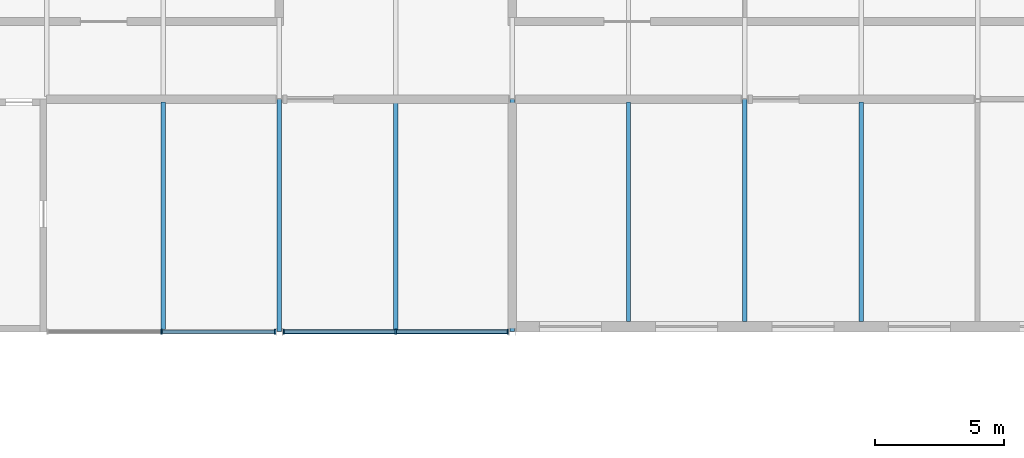
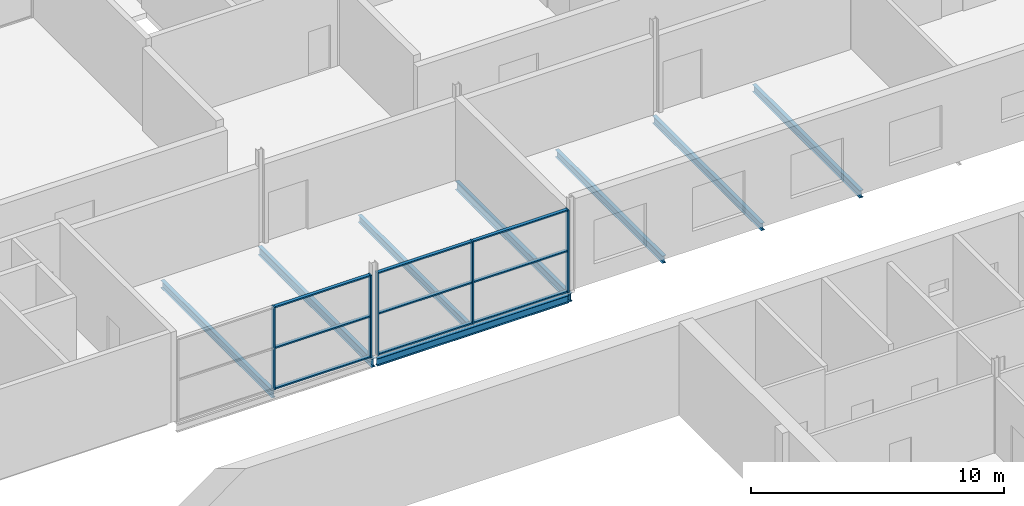
# One storey, part 85 of 138: 14 members, 8 beams, 2 elements without a shape of their own.
"""IFC4 building model written with IfcOpenShell, lengths in metres."""

from ifc_helpers import new_model, si_unit, direction, frame, origin, origin_2d, place, context, subcontext, project, spatial, rectangle, i_section, extrude, material, layer, layer_set, material_profile, profile_set, type_object, element, aggregate, save


model = new_model("IFC4")

# Units and contexts
model_context = context("Model", 3, precision=1e-05, world=origin(), true_north=direction((0.0, 1.0)))
body_context = subcontext(model_context, "Body", "Model", "MODEL_VIEW")
ifc_project = project(units=[si_unit("LENGTHUNIT", "METRE"), si_unit("AREAUNIT", "SQUARE_METRE"), si_unit("VOLUMEUNIT", "CUBIC_METRE"), si_unit("PLANEANGLEUNIT", "RADIAN"), si_unit("MASSUNIT", "GRAM", prefix="KILO")], contexts=[model_context])

# Site, building, storey
site_placement = place(None, origin())
site = spatial("IfcSite", under=ifc_project, at=site_placement, CompositionType="ELEMENT")
building_placement = place(site_placement, origin())
building = spatial("IfcBuilding", under=site, at=building_placement, Name="Corbel Yard City Hall", CompositionType="ELEMENT")
storey_placement = place(building_placement, frame((0.0, 0.0, 10.5)))
storey = spatial("IfcBuildingStorey", under=building, at=storey_placement, Name="L02", CompositionType="ELEMENT", Elevation=10.5)

# Beams
ifc_material_1 = material(Name="Steel Grade 300 (300 MPa yield)", Category="steel")
ifc_material_profile_1 = material_profile(ifc_material_1, i_section(OverallWidth=0.1708984375, OverallDepth=0.35205078125, WebThickness=0.0068359375, FlangeThickness=0.009765625, at=origin_2d()), Name="360UB44.7")
ifc_profile_set_1 = profile_set([ifc_material_profile_1], Name="Steel Grade 300 (300 MPa yield)")
beam_type_1 = type_object("IfcBeamType", Name="Beam 360UB44.7", PredefinedType="BEAM", material=ifc_profile_set_1)
beam_1_placement = place(storey_placement, frame((153.0, 90.39990234375, -0.325927734375), z_axis=(0.0, 1.0, 0.0), x_axis=(-1.0, 0.0, 0.0)))
element("IfcBeam", 1, at=beam_1_placement, inside=storey, type_object=beam_type_1, Name="Beam 360UB44.7 SB13 L02floor", PredefinedType="BEAM", context=body_context, shape_type="SweptSolid", body=[
    extrude(i_section(OverallWidth=0.1708984375, OverallDepth=0.35205078125, WebThickness=0.0068359375, FlangeThickness=0.009765625, at=origin_2d()), origin(), (0.0, 0.0, 1.0), 8.59423828125),
])
ifc_material_profile_2 = material_profile(ifc_material_1, i_section(OverallWidth=0.177978515625, OverallDepth=0.403076171875, WebThickness=0.007568359375, FlangeThickness=0.010986328125, at=origin_2d()), Name="410UB53.7")
ifc_profile_set_2 = profile_set([ifc_material_profile_2], Name="Steel Grade 300 (300 MPa yield)")
beam_type_2 = type_object("IfcBeamType", Name="Beam 410UB53.7", PredefinedType="BEAM", material=ifc_profile_set_2)
for number, where, z_axis, x_axis, name in (
    (2, (135.0, 90.00537109375, -0.3515625), (0.0, 1.0, 0.0), (-1.0, 0.0, 0.0), "Beam 410UB53.7 SB6 L02floor"),
    (3, (144.0, 90.00537109375, -0.3515625), (0.0, 1.0, 0.0), (-1.0, 0.0, 0.0), "Beam 410UB53.7 SB6 L02floor"),
):
    element("IfcBeam", number, at=place(storey_placement, frame(where, z_axis=z_axis, x_axis=x_axis)), inside=storey, type_object=beam_type_2, Name=name, PredefinedType="BEAM", context=body_context, shape_type="SweptSolid", body=[
        extrude(i_section(OverallWidth=0.177978515625, OverallDepth=0.403076171875, WebThickness=0.007568359375, FlangeThickness=0.010986328125, at=origin_2d()), origin(), (0.0, 0.0, 1.0), 8.98876953125),
    ])
ifc_material_profile_3 = material_profile(ifc_material_1, i_section(OverallWidth=0.172119140625, OverallDepth=0.35888671875, WebThickness=0.008056640625, FlangeThickness=0.012939453125, at=origin_2d()), Name="360UB56.7")
ifc_profile_set_3 = profile_set([ifc_material_profile_3], Name="Steel Grade 300 (300 MPa yield)")
beam_type_3 = type_object("IfcBeamType", Name="Edge beam 360UB56.7", PredefinedType="BEAM", material=ifc_profile_set_3)
beam_2_placement = place(storey_placement, frame((135.1298828125, 90.0, -0.32958984375), z_axis=(1.0, 0.0, 0.0), x_axis=(0.0, 1.0, 0.0)))
element("IfcBeam", 4, at=beam_2_placement, inside=storey, type_object=beam_type_3, Name="Edge beam 360UB56.7 EB4 L02floor", PredefinedType="BEAM", context=body_context, shape_type="SweptSolid", body=[
    extrude(i_section(OverallWidth=0.172119140625, OverallDepth=0.35888671875, WebThickness=0.008056640625, FlangeThickness=0.012939453125, at=origin_2d()), origin(), (0.0, 0.0, 1.0), 8.740234375),
])

# Curtain wall, members
ifc_material_2 = material(Name="Aluminium extrusion", Category="aluminium")
ifc_layer = layer(ifc_material_2, 0.199951171875)
ifc_layer_set = layer_set([ifc_layer], Name="Aluminium extrusion")
curtain_wall_type = type_object("IfcCurtainWallType", Name="CW1", PredefinedType="USERDEFINED", material=ifc_layer_set)
curtain_wall_1_placement = place(storey_placement, origin())
curtain_wall_1 = element("IfcCurtainWall", 5, at=curtain_wall_1_placement, inside=storey, type_object=curtain_wall_type, Name="Curtain wall CW1 L02", ObjectType="CURTAIN WALL", PredefinedType="USERDEFINED")
ifc_material_profile_4 = material_profile(ifc_material_2, rectangle(XDim=0.199951171875, YDim=0.06494140625, at=origin_2d()), Name="200x65")
ifc_profile_set_4 = profile_set([ifc_material_profile_4], Name="Aluminium extrusion")
member_type_1 = type_object("IfcMemberType", Name="ML1", PredefinedType="MULLION", material=ifc_profile_set_4)
member_1_placement = place(storey_placement, frame((130.4365234375, 90.0, 0.0), z_axis=(0.0, 0.0, 1.0), x_axis=(0.0, 1.0, 0.0)))
member_1 = element("IfcMember", 6, at=member_1_placement, type_object=member_type_1, Name="CW1 mullion 2", PredefinedType="MULLION", context=body_context, shape_type="SweptSolid", body=[
    extrude(rectangle(XDim=0.199951171875, YDim=0.06494140625, at=origin_2d()), origin(), (0.0, 0.0, 1.0), 3.990966796875),
])
member_2_placement = place(storey_placement, frame((134.840576171875, 90.0, 0.0), z_axis=(0.0, 0.0, 1.0), x_axis=(0.0, 1.0, 0.0)))
member_2 = element("IfcMember", 7, at=member_2_placement, type_object=member_type_1, Name="CW1 mullion 3", PredefinedType="MULLION", context=body_context, shape_type="SweptSolid", body=[
    extrude(rectangle(XDim=0.199951171875, YDim=0.06494140625, at=origin_2d()), origin(), (0.0, 0.0, 1.0), 3.990966796875),
])

curtain_wall_2_placement = place(storey_placement, origin())
curtain_wall_2 = element("IfcCurtainWall", 8, at=curtain_wall_2_placement, inside=storey, type_object=curtain_wall_type, Name="Curtain wall CW1 L02", ObjectType="CURTAIN WALL", PredefinedType="USERDEFINED")
member_3_placement = place(storey_placement, frame((135.159423828125, 90.0, 0.0), z_axis=(0.0, 0.0, 1.0), x_axis=(0.0, 1.0, 0.0)))
member_3 = element("IfcMember", 9, at=member_3_placement, type_object=member_type_1, Name="CW1 mullion 1", PredefinedType="MULLION", context=body_context, shape_type="SweptSolid", body=[
    extrude(rectangle(XDim=0.199951171875, YDim=0.06494140625, at=origin_2d()), origin(), (0.0, 0.0, 1.0), 3.990966796875),
])
member_4_placement = place(storey_placement, frame((139.5, 90.0, 0.0), z_axis=(0.0, 0.0, 1.0), x_axis=(0.0, 1.0, 0.0)))
member_4 = element("IfcMember", 10, at=member_4_placement, type_object=member_type_1, Name="CW1 mullion 2", PredefinedType="MULLION", context=body_context, shape_type="SweptSolid", body=[
    extrude(rectangle(XDim=0.199951171875, YDim=0.06494140625, at=origin_2d()), origin(), (0.0, 0.0, 1.0), 3.990966796875),
])
member_5_placement = place(storey_placement, frame((143.840576171875, 90.0, 0.0), z_axis=(0.0, 0.0, 1.0), x_axis=(0.0, 1.0, 0.0)))
member_5 = element("IfcMember", 11, at=member_5_placement, type_object=member_type_1, Name="CW1 mullion 3", PredefinedType="MULLION", context=body_context, shape_type="SweptSolid", body=[
    extrude(rectangle(XDim=0.199951171875, YDim=0.06494140625, at=origin_2d()), origin(), (0.0, 0.0, 1.0), 3.990966796875),
])

# Beams
ifc_material_profile_5 = material_profile(ifc_material_1, i_section(OverallWidth=0.1708984375, OverallDepth=0.35205078125, WebThickness=0.0068359375, FlangeThickness=0.009765625, at=origin_2d()), Name="360UB44.7")
ifc_profile_set_5 = profile_set([ifc_material_profile_5], Name="Steel Grade 300 (300 MPa yield)")
beam_type_4 = type_object("IfcBeamType", Name="Secondary beam 360UB44.7", PredefinedType="JOIST", material=ifc_profile_set_5)
for number, where, z_axis, x_axis, name in (
    (12, (148.5, 90.39990234375, -0.325927734375), (0.0, 1.0, 0.0), (-1.0, 0.0, 0.0), "Secondary beam 360UB44.7 SB11 L02floor"),
    (13, (157.5, 90.39990234375, -0.325927734375), (0.0, 1.0, 0.0), (-1.0, 0.0, 0.0), "Secondary beam 360UB44.7 SB11 L02floor"),
):
    element("IfcBeam", number, at=place(storey_placement, frame(where, z_axis=z_axis, x_axis=x_axis)), inside=storey, type_object=beam_type_4, Name=name, PredefinedType="JOIST", context=body_context, shape_type="SweptSolid", body=[
        extrude(i_section(OverallWidth=0.1708984375, OverallDepth=0.35205078125, WebThickness=0.0068359375, FlangeThickness=0.009765625, at=origin_2d()), origin(), (0.0, 0.0, 1.0), 8.49560546875),
    ])
ifc_material_profile_6 = material_profile(ifc_material_1, i_section(OverallWidth=0.1708984375, OverallDepth=0.35595703125, WebThickness=0.00732421875, FlangeThickness=0.011474609375, at=origin_2d()), Name="360UB50.7")
ifc_profile_set_6 = profile_set([ifc_material_profile_6], Name="Steel Grade 300 (300 MPa yield)")
beam_type_5 = type_object("IfcBeamType", Name="Secondary beam 360UB50.7", PredefinedType="JOIST", material=ifc_profile_set_6)
for number, where, z_axis, x_axis, name in (
    (14, (130.5, 90.0859375, -0.327880859375), (0.0, 1.0, 0.0), (-1.0, 0.0, 0.0), "Secondary beam 360UB50.7 SB10 L02floor"),
    (15, (139.5, 90.0859375, -0.327880859375), (0.0, 1.0, 0.0), (-1.0, 0.0, 0.0), "Secondary beam 360UB50.7 SB10 L02floor"),
):
    element("IfcBeam", number, at=place(storey_placement, frame(where, z_axis=z_axis, x_axis=x_axis)), inside=storey, type_object=beam_type_5, Name=name, PredefinedType="JOIST", context=body_context, shape_type="SweptSolid", body=[
        extrude(i_section(OverallWidth=0.1708984375, OverallDepth=0.35595703125, WebThickness=0.00732421875, FlangeThickness=0.011474609375, at=origin_2d()), origin(), (0.0, 0.0, 1.0), 8.8095703125),
    ])

# Member
ifc_material_profile_7 = material_profile(ifc_material_2, rectangle(XDim=0.14990234375, YDim=0.06494140625, at=origin_2d()), Name="150x65")
ifc_profile_set_7 = profile_set([ifc_material_profile_7], Name="Aluminium extrusion")
member_type_2 = type_object("IfcMemberType", Name="TR1", PredefinedType="USERDEFINED", material=ifc_profile_set_7)
member_6_placement = place(storey_placement, frame((130.468994140625, 90.0, 0.032470703125), z_axis=(1.0, 0.0, 0.0), x_axis=(0.0, 1.0, 0.0)))
member_6 = element("IfcMember", 16, at=member_6_placement, type_object=member_type_2, Name="CW1 transom 2.1", ObjectType="TRANSOM", PredefinedType="USERDEFINED", context=body_context, shape_type="SweptSolid", body=[
    extrude(rectangle(XDim=0.14990234375, YDim=0.06494140625, at=origin_2d()), origin(), (0.0, 0.0, 1.0), 4.339111328125),
])

member_7_placement = place(storey_placement, frame((130.468994140625, 90.0, 1.99560546875), z_axis=(1.0, 0.0, 0.0), x_axis=(0.0, 1.0, 0.0)))
member_7 = element("IfcMember", 17, at=member_7_placement, type_object=member_type_2, Name="CW1 transom 2.2", ObjectType="TRANSOM", PredefinedType="USERDEFINED", context=body_context, shape_type="SweptSolid", body=[
    extrude(rectangle(XDim=0.14990234375, YDim=0.06494140625, at=origin_2d()), origin(), (0.0, 0.0, 1.0), 4.339111328125),
])

member_8_placement = place(storey_placement, frame((130.468994140625, 90.0, 3.95849609375), z_axis=(1.0, 0.0, 0.0), x_axis=(0.0, 1.0, 0.0)))
member_8 = element("IfcMember", 18, at=member_8_placement, type_object=member_type_2, Name="CW1 transom 2.3", ObjectType="TRANSOM", PredefinedType="USERDEFINED", context=body_context, shape_type="SweptSolid", body=[
    extrude(rectangle(XDim=0.14990234375, YDim=0.06494140625, at=origin_2d()), origin(), (0.0, 0.0, 1.0), 4.339111328125),
])

aggregate(curtain_wall_1, [member_1, member_2, member_6, member_7, member_8])

member_9_placement = place(storey_placement, frame((135.19189453125, 90.0, 0.032470703125), z_axis=(1.0, 0.0, 0.0), x_axis=(0.0, 1.0, 0.0)))
member_9 = element("IfcMember", 19, at=member_9_placement, type_object=member_type_2, Name="CW1 transom 1.1", ObjectType="TRANSOM", PredefinedType="USERDEFINED", context=body_context, shape_type="SweptSolid", body=[
    extrude(rectangle(XDim=0.14990234375, YDim=0.06494140625, at=origin_2d()), origin(), (0.0, 0.0, 1.0), 4.275634765625),
])

member_10_placement = place(storey_placement, frame((135.19189453125, 90.0, 1.99560546875), z_axis=(1.0, 0.0, 0.0), x_axis=(0.0, 1.0, 0.0)))
member_10 = element("IfcMember", 20, at=member_10_placement, type_object=member_type_2, Name="CW1 transom 1.2", ObjectType="TRANSOM", PredefinedType="USERDEFINED", context=body_context, shape_type="SweptSolid", body=[
    extrude(rectangle(XDim=0.14990234375, YDim=0.06494140625, at=origin_2d()), origin(), (0.0, 0.0, 1.0), 4.275634765625),
])

member_11_placement = place(storey_placement, frame((135.19189453125, 90.0, 3.95849609375), z_axis=(1.0, 0.0, 0.0), x_axis=(0.0, 1.0, 0.0)))
member_11 = element("IfcMember", 21, at=member_11_placement, type_object=member_type_2, Name="CW1 transom 1.3", ObjectType="TRANSOM", PredefinedType="USERDEFINED", context=body_context, shape_type="SweptSolid", body=[
    extrude(rectangle(XDim=0.14990234375, YDim=0.06494140625, at=origin_2d()), origin(), (0.0, 0.0, 1.0), 4.275634765625),
])

member_12_placement = place(storey_placement, frame((139.532470703125, 90.0, 0.032470703125), z_axis=(1.0, 0.0, 0.0), x_axis=(0.0, 1.0, 0.0)))
member_12 = element("IfcMember", 22, at=member_12_placement, type_object=member_type_2, Name="CW1 transom 2.1", ObjectType="TRANSOM", PredefinedType="USERDEFINED", context=body_context, shape_type="SweptSolid", body=[
    extrude(rectangle(XDim=0.14990234375, YDim=0.06494140625, at=origin_2d()), origin(), (0.0, 0.0, 1.0), 4.275634765625),
])

member_13_placement = place(storey_placement, frame((139.532470703125, 90.0, 1.99560546875), z_axis=(1.0, 0.0, 0.0), x_axis=(0.0, 1.0, 0.0)))
member_13 = element("IfcMember", 23, at=member_13_placement, type_object=member_type_2, Name="CW1 transom 2.2", ObjectType="TRANSOM", PredefinedType="USERDEFINED", context=body_context, shape_type="SweptSolid", body=[
    extrude(rectangle(XDim=0.14990234375, YDim=0.06494140625, at=origin_2d()), origin(), (0.0, 0.0, 1.0), 4.275634765625),
])

member_14_placement = place(storey_placement, frame((139.532470703125, 90.0, 3.95849609375), z_axis=(1.0, 0.0, 0.0), x_axis=(0.0, 1.0, 0.0)))
member_14 = element("IfcMember", 24, at=member_14_placement, type_object=member_type_2, Name="CW1 transom 2.3", ObjectType="TRANSOM", PredefinedType="USERDEFINED", context=body_context, shape_type="SweptSolid", body=[
    extrude(rectangle(XDim=0.14990234375, YDim=0.06494140625, at=origin_2d()), origin(), (0.0, 0.0, 1.0), 4.275634765625),
])

aggregate(curtain_wall_2, [member_3, member_4, member_5, member_9, member_10, member_11, member_12, member_13, member_14])

save(model, "model.ifc")
